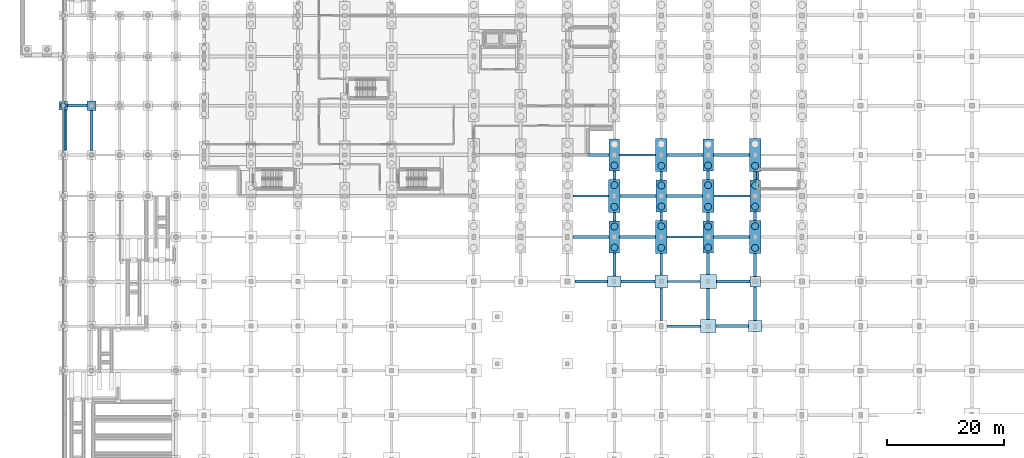
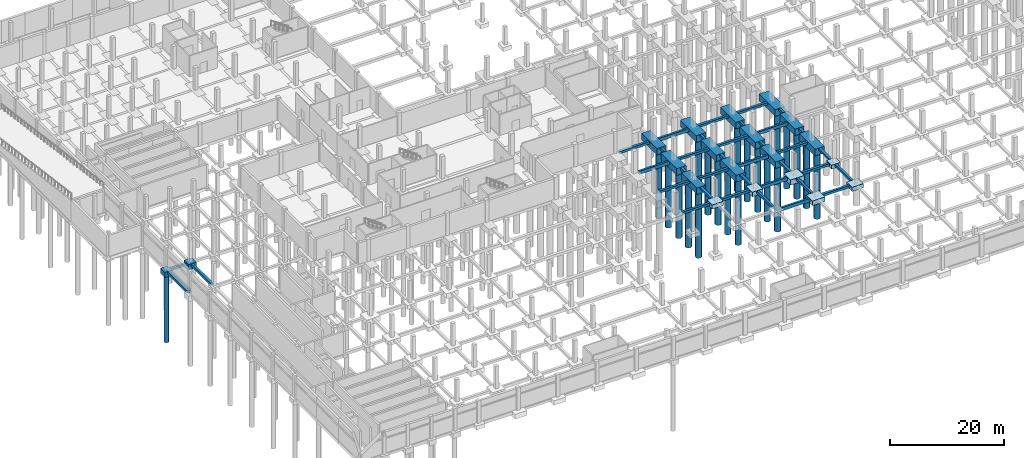
# One storey, part 8 of 50: 58 footings, 21 piles.
"""IFC4 building model written with IfcOpenShell, lengths in metres."""

from ifc_helpers import new_model, si_unit, direction, frame, origin, origin_2d, place, context, subcontext, project, spatial, polyline, rectangle, circle, outline, extrude, material, material_profile, profile_set, type_object, element, save


model = new_model("IFC4")

# Units and contexts
model_context = context("Model", 3, precision=1e-05, world=origin(), true_north=direction((0.0, 1.0)))
body_context = subcontext(model_context, "Body", "Model", "MODEL_VIEW")
ifc_project = project(units=[si_unit("LENGTHUNIT", "METRE"), si_unit("AREAUNIT", "SQUARE_METRE"), si_unit("VOLUMEUNIT", "CUBIC_METRE"), si_unit("PLANEANGLEUNIT", "RADIAN"), si_unit("MASSUNIT", "GRAM", prefix="KILO")], contexts=[model_context])

# Site, building, storey
site_placement = place(None, origin())
site = spatial("IfcSite", under=ifc_project, at=site_placement, CompositionType="ELEMENT")
building_placement = place(site_placement, origin())
building = spatial("IfcBuilding", under=site, at=building_placement, Name="Vekula Escarpment Museum", CompositionType="ELEMENT")
storey_placement = place(building_placement, frame((0.0, 0.0, -4.800048828125)))
storey = spatial("IfcBuildingStorey", under=building, at=storey_placement, Name="B1", CompositionType="ELEMENT", Elevation=-4.800048828125)

# Footings
ifc_material_1 = material(Name="Concrete C35/45", Category="concrete")
footing_type_1 = type_object("IfcFootingType", Name="FB-STRIP-600", PredefinedType="STRIP_FOOTING", material=ifc_material_1)
footing_1_placement = place(storey_placement, frame((0.0, 0.0, -0.599853515625)))
element("IfcFooting", 1, at=footing_1_placement, inside=storey, type_object=footing_type_1, Name="Plinth Wall Strip Footing 0131", PredefinedType="STRIP_FOOTING", context=body_context, shape_type="SweptSolid", body=[
    extrude(outline(polyline([(0.64501953125, 60.404052734375), (0.25390625, 60.404052734375), (0.25390625, 67.24609375), (0.64501953125, 67.24609375), (0.64501953125, 60.404052734375)])), origin(), (0.0, 0.0, 1.0), 0.599853515625),
])
footing_2_placement = place(storey_placement, frame((0.0, 0.0, -0.599853515625)))
element("IfcFooting", 2, at=footing_2_placement, inside=storey, type_object=footing_type_1, Name="Stair Core Strip Footing ST-08 W", PredefinedType="STRIP_FOOTING", context=body_context, shape_type="SweptSolid", body=[
    extrude(outline(polyline([(118.675048828125, 55.303955078125), (118.25390625, 55.303955078125), (118.25390625, 56.7958984375), (118.675048828125, 56.7958984375), (118.675048828125, 55.303955078125)])), origin(), (0.0, 0.0, 1.0), 0.599853515625),
])
ifc_material_2 = material(Name="Concrete C35/45", Category="concrete")
ifc_material_profile_1 = material_profile(ifc_material_2, rectangle(XDim=0.39990234375, YDim=0.699951171875, at=origin_2d()), Name="RC 400x700")
ifc_profile_set_1 = profile_set([ifc_material_profile_1], Name="Concrete C35/45")
footing_type_2 = type_object("IfcFootingType", Name="FB-TIE-400x700", PredefinedType="FOOTING_BEAM", material=ifc_profile_set_1)
footing_3_placement = place(storey_placement, frame((103.0, 30.39990234375, -0.349853515625), z_axis=(1.0, 0.0, 0.0), x_axis=(0.0, 1.0, 0.0)))
element("IfcFooting", 3, at=footing_3_placement, inside=storey, type_object=footing_type_2, Name="Foundation Tie Beam 090", PredefinedType="FOOTING_BEAM", context=body_context, shape_type="SweptSolid", body=[
    extrude(rectangle(XDim=0.39990234375, YDim=0.699951171875, at=origin_2d()), origin(), (0.0, 0.0, 1.0), 5.699951171875),
])
footing_4_placement = place(storey_placement, frame((103.10009765625, 38.0, -0.349853515625), z_axis=(1.0, 0.0, 0.0), x_axis=(0.0, 1.0, 0.0)))
element("IfcFooting", 4, at=footing_4_placement, inside=storey, type_object=footing_type_2, Name="Foundation Tie Beam 111", PredefinedType="FOOTING_BEAM", context=body_context, shape_type="SweptSolid", body=[
    extrude(rectangle(XDim=0.39990234375, YDim=0.699951171875, at=origin_2d()), origin(), (0.0, 0.0, 1.0), 5.5),
])
for number, where, z_axis, x_axis, name in (
    (5, (102.97509765625, 45.60009765625, -0.349853515625), (1.0, 0.0, 0.0), (0.0, 1.0, 0.0), "Foundation Tie Beam 132"),
    (6, (86.89990234375, 52.60009765625, -0.349853515625), (1.0, 0.0, 0.0), (0.0, 1.0, 0.0), "Foundation Tie Beam 153"),
    (7, (110.97509765625, 52.60009765625, -0.349853515625), (1.0, 0.0, 0.0), (0.0, 1.0, 0.0), "Foundation Tie Beam 156"),
    (8, (94.89990234375, 59.60009765625, -0.349853515625), (1.0, 0.0, 0.0), (0.0, 1.0, 0.0), "Foundation Tie Beam 177"),
):
    element("IfcFooting", number, at=place(storey_placement, frame(where, z_axis=z_axis, x_axis=x_axis)), inside=storey, type_object=footing_type_2, Name=name, PredefinedType="FOOTING_BEAM", context=body_context, shape_type="SweptSolid", body=[
        extrude(rectangle(XDim=0.39990234375, YDim=0.699951171875, at=origin_2d()), origin(), (0.0, 0.0, 1.0), 6.125),
    ])
ifc_material_3 = material(Name="Concrete C35/45", Category="concrete")
ifc_material_profile_2 = material_profile(ifc_material_3, rectangle(XDim=0.5, YDim=0.5, at=origin_2d()), Name="RC 500x500")
ifc_profile_set_2 = profile_set([ifc_material_profile_2], Name="Concrete C35/45")
footing_type_3 = type_object("IfcFootingType", Name="FB-TIE-500x500", PredefinedType="FOOTING_BEAM", material=ifc_profile_set_2)
footing_5_placement = place(storey_placement, frame((111.300048828125, 30.39990234375, -0.25), z_axis=(1.0, 0.0, 0.0), x_axis=(0.0, 1.0, 0.0)))
element("IfcFooting", 9, at=footing_5_placement, inside=storey, type_object=footing_type_3, Name="Foundation Tie Beam 091", PredefinedType="FOOTING_BEAM", context=body_context, shape_type="SweptSolid", body=[
    extrude(rectangle(XDim=0.5, YDim=0.5, at=origin_2d()), origin(), (0.0, 0.0, 1.0), 5.550048828125),
])
footing_6_placement = place(storey_placement, frame((87.25, 38.0, -0.25), z_axis=(1.0, 0.0, 0.0), x_axis=(0.0, 1.0, 0.0)))
element("IfcFooting", 10, at=footing_6_placement, inside=storey, type_object=footing_type_3, Name="Foundation Tie Beam 109", PredefinedType="FOOTING_BEAM", context=body_context, shape_type="SweptSolid", body=[
    extrude(rectangle(XDim=0.5, YDim=0.5, at=origin_2d()), origin(), (0.0, 0.0, 1.0), 5.60009765625),
])
footing_7_placement = place(storey_placement, frame((95.14990234375, 38.0, -0.25), z_axis=(1.0, 0.0, 0.0), x_axis=(0.0, 1.0, 0.0)))
element("IfcFooting", 11, at=footing_7_placement, inside=storey, type_object=footing_type_3, Name="Foundation Tie Beam 110", PredefinedType="FOOTING_BEAM", context=body_context, shape_type="SweptSolid", body=[
    extrude(rectangle(XDim=0.5, YDim=0.5, at=origin_2d()), origin(), (0.0, 0.0, 1.0), 5.75),
])
footing_8_placement = place(storey_placement, frame((111.39990234375, 38.0, -0.25), z_axis=(1.0, 0.0, 0.0), x_axis=(0.0, 1.0, 0.0)))
element("IfcFooting", 12, at=footing_8_placement, inside=storey, type_object=footing_type_3, Name="Foundation Tie Beam 112", PredefinedType="FOOTING_BEAM", context=body_context, shape_type="SweptSolid", body=[
    extrude(rectangle(XDim=0.5, YDim=0.5, at=origin_2d()), origin(), (0.0, 0.0, 1.0), 5.7001953125),
])
for number, where, z_axis, x_axis, name in (
    (13, (86.97509765625, 45.60009765625, -0.25), (1.0, 0.0, 0.0), (0.0, 1.0, 0.0), "Foundation Tie Beam 130"),
    (14, (94.89990234375, 45.60009765625, -0.25), (1.0, 0.0, 0.0), (0.0, 1.0, 0.0), "Foundation Tie Beam 131"),
    (15, (110.89990234375, 45.60009765625, -0.25), (1.0, 0.0, 0.0), (0.0, 1.0, 0.0), "Foundation Tie Beam 133"),
    (16, (94.97509765625, 52.60009765625, -0.25), (1.0, 0.0, 0.0), (0.0, 1.0, 0.0), "Foundation Tie Beam 154"),
    (17, (102.89990234375, 52.60009765625, -0.25), (1.0, 0.0, 0.0), (0.0, 1.0, 0.0), "Foundation Tie Beam 155"),
    (18, (86.97509765625, 59.60009765625, -0.25), (1.0, 0.0, 0.0), (0.0, 1.0, 0.0), "Foundation Tie Beam 176"),
    (19, (102.97509765625, 59.60009765625, -0.25), (1.0, 0.0, 0.0), (0.0, 1.0, 0.0), "Foundation Tie Beam 178"),
    (20, (110.89990234375, 59.60009765625, -0.25), (1.0, 0.0, 0.0), (0.0, 1.0, 0.0), "Foundation Tie Beam 179"),
):
    element("IfcFooting", number, at=place(storey_placement, frame(where, z_axis=z_axis, x_axis=x_axis)), inside=storey, type_object=footing_type_3, Name=name, PredefinedType="FOOTING_BEAM", context=body_context, shape_type="SweptSolid", body=[
        extrude(rectangle(XDim=0.5, YDim=0.5, at=origin_2d()), origin(), (0.0, 0.0, 1.0), 6.125),
    ])
footing_9_placement = place(storey_placement, frame((0.75, 68.0, -0.25), z_axis=(1.0, 0.0, 0.0), x_axis=(0.0, 1.0, 0.0)))
element("IfcFooting", 21, at=footing_9_placement, inside=storey, type_object=footing_type_3, Name="Foundation Tie Beam 187", PredefinedType="FOOTING_BEAM", context=body_context, shape_type="SweptSolid", body=[
    extrude(rectangle(XDim=0.5, YDim=0.5, at=origin_2d()), origin(), (0.0, 0.0, 1.0), 3.25),
])
footing_10_placement = place(storey_placement, frame((0.0, 60.39990234375, -0.25), z_axis=(0.0, 1.0, 0.0), x_axis=(-1.0, 0.0, 0.0)))
element("IfcFooting", 22, at=footing_10_placement, inside=storey, type_object=footing_type_3, Name="Foundation Tie Beam 407", PredefinedType="FOOTING_BEAM", context=body_context, shape_type="SweptSolid", body=[
    extrude(rectangle(XDim=0.5, YDim=0.5, at=origin_2d()), origin(), (0.0, 0.0, 1.0), 6.85009765625),
])
footing_11_placement = place(storey_placement, frame((4.800048828125, 60.35009765625, -0.25), z_axis=(0.0, 1.0, 0.0), x_axis=(-1.0, 0.0, 0.0)))
element("IfcFooting", 23, at=footing_11_placement, inside=storey, type_object=footing_type_3, Name="Foundation Tie Beam 419", PredefinedType="FOOTING_BEAM", context=body_context, shape_type="SweptSolid", body=[
    extrude(rectangle(XDim=0.5, YDim=0.5, at=origin_2d()), origin(), (0.0, 0.0, 1.0), 6.849853515625),
])
footing_12_placement = place(storey_placement, frame((94.0, 38.949951171875, -0.25), z_axis=(0.0, 1.0, 0.0), x_axis=(-1.0, 0.0, 0.0)))
element("IfcFooting", 24, at=footing_12_placement, inside=storey, type_object=footing_type_3, Name="Foundation Tie Beam 597", PredefinedType="FOOTING_BEAM", context=body_context, shape_type="SweptSolid", body=[
    extrude(rectangle(XDim=0.5, YDim=0.5, at=origin_2d()), origin(), (0.0, 0.0, 1.0), 3.949951171875),
])
for number, where, z_axis, x_axis, name in (
    (25, (94.0, 48.300048828125, -0.25), (0.0, 1.0, 0.0), (-1.0, 0.0, 0.0), "Foundation Tie Beam 598"),
    (26, (94.0, 55.39990234375, -0.25), (0.0, 1.0, 0.0), (-1.0, 0.0, 0.0), "Foundation Tie Beam 599"),
):
    element("IfcFooting", number, at=place(storey_placement, frame(where, z_axis=z_axis, x_axis=x_axis)), inside=storey, type_object=footing_type_3, Name=name, PredefinedType="FOOTING_BEAM", context=body_context, shape_type="SweptSolid", body=[
        extrude(rectangle(XDim=0.5, YDim=0.5, at=origin_2d()), origin(), (0.0, 0.0, 1.0), 1.5),
    ])
footing_13_placement = place(storey_placement, frame((102.0, 31.39990234375, -0.25), z_axis=(0.0, 1.0, 0.0), x_axis=(-1.0, 0.0, 0.0)))
element("IfcFooting", 27, at=footing_13_placement, inside=storey, type_object=footing_type_3, Name="Foundation Tie Beam 614", PredefinedType="FOOTING_BEAM", context=body_context, shape_type="SweptSolid", body=[
    extrude(rectangle(XDim=0.5, YDim=0.5, at=origin_2d()), origin(), (0.0, 0.0, 1.0), 5.5),
])
footing_14_placement = place(storey_placement, frame((102.0, 39.10009765625, -0.25), z_axis=(0.0, 1.0, 0.0), x_axis=(-1.0, 0.0, 0.0)))
element("IfcFooting", 28, at=footing_14_placement, inside=storey, type_object=footing_type_3, Name="Foundation Tie Beam 615", PredefinedType="FOOTING_BEAM", context=body_context, shape_type="SweptSolid", body=[
    extrude(rectangle(XDim=0.5, YDim=0.5, at=origin_2d()), origin(), (0.0, 0.0, 1.0), 3.699951171875),
])
for number, where, z_axis, x_axis, name in (
    (29, (102.0, 48.39990234375, -0.25), (0.0, 1.0, 0.0), (-1.0, 0.0, 0.0), "Foundation Tie Beam 616"),
    (30, (102.0, 55.300048828125, -0.25), (0.0, 1.0, 0.0), (-1.0, 0.0, 0.0), "Foundation Tie Beam 617"),
):
    element("IfcFooting", number, at=place(storey_placement, frame(where, z_axis=z_axis, x_axis=x_axis)), inside=storey, type_object=footing_type_3, Name=name, PredefinedType="FOOTING_BEAM", context=body_context, shape_type="SweptSolid", body=[
        extrude(rectangle(XDim=0.5, YDim=0.5, at=origin_2d()), origin(), (0.0, 0.0, 1.0), 1.5),
    ])
footing_15_placement = place(storey_placement, frame((110.0, 31.5, -0.25), z_axis=(0.0, 1.0, 0.0), x_axis=(-1.0, 0.0, 0.0)))
element("IfcFooting", 31, at=footing_15_placement, inside=storey, type_object=footing_type_3, Name="Foundation Tie Beam 632", PredefinedType="FOOTING_BEAM", context=body_context, shape_type="SweptSolid", body=[
    extrude(rectangle(XDim=0.5, YDim=0.5, at=origin_2d()), origin(), (0.0, 0.0, 1.0), 5.300048828125),
])
footing_16_placement = place(storey_placement, frame((110.0, 39.199951171875, -0.25), z_axis=(0.0, 1.0, 0.0), x_axis=(-1.0, 0.0, 0.0)))
element("IfcFooting", 32, at=footing_16_placement, inside=storey, type_object=footing_type_3, Name="Foundation Tie Beam 633", PredefinedType="FOOTING_BEAM", context=body_context, shape_type="SweptSolid", body=[
    extrude(rectangle(XDim=0.5, YDim=0.5, at=origin_2d()), origin(), (0.0, 0.0, 1.0), 3.699951171875),
])
for number, where, z_axis, x_axis, name in (
    (33, (110.0, 48.300048828125, -0.25), (0.0, 1.0, 0.0), (-1.0, 0.0, 0.0), "Foundation Tie Beam 634"),
    (34, (110.0, 55.39990234375, -0.25), (0.0, 1.0, 0.0), (-1.0, 0.0, 0.0), "Foundation Tie Beam 635"),
):
    element("IfcFooting", number, at=place(storey_placement, frame(where, z_axis=z_axis, x_axis=x_axis)), inside=storey, type_object=footing_type_3, Name=name, PredefinedType="FOOTING_BEAM", context=body_context, shape_type="SweptSolid", body=[
        extrude(rectangle(XDim=0.5, YDim=0.5, at=origin_2d()), origin(), (0.0, 0.0, 1.0), 1.5),
    ])
footing_17_placement = place(storey_placement, frame((118.0, 31.35009765625, -0.25), z_axis=(0.0, 1.0, 0.0), x_axis=(-1.0, 0.0, 0.0)))
element("IfcFooting", 35, at=footing_17_placement, inside=storey, type_object=footing_type_3, Name="Foundation Tie Beam 650", PredefinedType="FOOTING_BEAM", context=body_context, shape_type="SweptSolid", body=[
    extrude(rectangle(XDim=0.5, YDim=0.5, at=origin_2d()), origin(), (0.0, 0.0, 1.0), 5.75),
])
footing_18_placement = place(storey_placement, frame((118.0, 38.89990234375, -0.25), z_axis=(0.0, 1.0, 0.0), x_axis=(-1.0, 0.0, 0.0)))
element("IfcFooting", 36, at=footing_18_placement, inside=storey, type_object=footing_type_3, Name="Foundation Tie Beam 651", PredefinedType="FOOTING_BEAM", context=body_context, shape_type="SweptSolid", body=[
    extrude(rectangle(XDim=0.5, YDim=0.5, at=origin_2d()), origin(), (0.0, 0.0, 1.0), 3.900146484375),
])
for number, where, z_axis, x_axis, name in (
    (37, (118.0, 48.39990234375, -0.25), (0.0, 1.0, 0.0), (-1.0, 0.0, 0.0), "Foundation Tie Beam 652"),
    (38, (118.0, 55.300048828125, -0.25), (0.0, 1.0, 0.0), (-1.0, 0.0, 0.0), "Foundation Tie Beam 653"),
):
    element("IfcFooting", number, at=place(storey_placement, frame(where, z_axis=z_axis, x_axis=x_axis)), inside=storey, type_object=footing_type_3, Name=name, PredefinedType="FOOTING_BEAM", context=body_context, shape_type="SweptSolid", body=[
        extrude(rectangle(XDim=0.5, YDim=0.5, at=origin_2d()), origin(), (0.0, 0.0, 1.0), 1.5),
    ])
ifc_material_4 = material(Name="Concrete C35/45", Category="concrete")
footing_type_4 = type_object("IfcFootingType", Name="FC-PAD1", PredefinedType="PAD_FOOTING", material=ifc_material_4)
footing_19_placement = place(storey_placement, frame((0.0, 0.0, -0.849853515625)))
element("IfcFooting", 39, at=footing_19_placement, inside=storey, type_object=footing_type_4, Name="Foundation FC-PAD1 (118.0,38.0)", PredefinedType="PAD_FOOTING", context=body_context, shape_type="SweptSolid", body=[
    extrude(outline(polyline([(117.10009765625, 37.10009765625), (118.89990234375, 37.10009765625), (118.89990234375, 38.89990234375), (117.10009765625, 38.89990234375), (117.10009765625, 37.10009765625)])), origin(), (0.0, 0.0, 1.0), 0.849853515625),
])
ifc_material_5 = material(Name="Concrete C35/45", Category="concrete")
footing_type_5 = type_object("IfcFootingType", Name="FC-PAD3", PredefinedType="PAD_FOOTING", material=ifc_material_5)
footing_20_placement = place(storey_placement, frame((0.0, 0.0, -0.949951171875)))
element("IfcFooting", 40, at=footing_20_placement, inside=storey, type_object=footing_type_5, Name="Foundation FC-PAD3 (102.0,38.0)", PredefinedType="PAD_FOOTING", context=body_context, shape_type="SweptSolid", body=[
    extrude(outline(polyline([(100.89990234375, 36.89990234375), (103.10009765625, 36.89990234375), (103.10009765625, 39.10009765625), (100.89990234375, 39.10009765625), (100.89990234375, 36.89990234375)])), origin(), (0.0, 0.0, 1.0), 0.949951171875),
])
ifc_material_6 = material(Name="Concrete C35/45", Category="concrete")
footing_type_6 = type_object("IfcFootingType", Name="FC-PAD5", PredefinedType="PAD_FOOTING", material=ifc_material_6)
footing_21_placement = place(storey_placement, frame((0.0, 0.0, -1.0)))
element("IfcFooting", 41, at=footing_21_placement, inside=storey, type_object=footing_type_6, Name="Foundation FC-PAD5 (110.0,30.4)", PredefinedType="PAD_FOOTING", context=body_context, shape_type="SweptSolid", body=[
    extrude(outline(polyline([(108.699951171875, 29.300048828125), (111.300048828125, 29.300048828125), (111.300048828125, 31.5), (108.699951171875, 31.5), (108.699951171875, 29.300048828125)])), origin(), (0.0, 0.0, 1.0), 1.0),
])
ifc_material_7 = material(Name="Concrete C35/45", Category="concrete")
footing_type_7 = type_object("IfcFootingType", Name="FC-PAD6", PredefinedType="PAD_FOOTING", material=ifc_material_7)
footing_22_placement = place(storey_placement, frame((0.0, 0.0, -1.099853515625)))
element("IfcFooting", 42, at=footing_22_placement, inside=storey, type_object=footing_type_7, Name="Foundation FC-PAD6 (110.0,38.0)", PredefinedType="PAD_FOOTING", context=body_context, shape_type="SweptSolid", body=[
    extrude(outline(polyline([(108.60009765625, 36.800048828125), (111.39990234375, 36.800048828125), (111.39990234375, 39.199951171875), (108.60009765625, 39.199951171875), (108.60009765625, 36.800048828125)])), origin(), (0.0, 0.0, 1.0), 1.099853515625),
])
ifc_material_8 = material(Name="Concrete C35/45", Category="concrete")
footing_type_8 = type_object("IfcFootingType", Name="FC-PAD8", PredefinedType="PAD_FOOTING", material=ifc_material_8)
footing_23_placement = place(storey_placement, frame((0.0, 0.0, -0.89990234375)))
element("IfcFooting", 43, at=footing_23_placement, inside=storey, type_object=footing_type_8, Name="Foundation FC-PAD8 (94.0,38.0)", PredefinedType="PAD_FOOTING", context=body_context, shape_type="SweptSolid", body=[
    extrude(outline(polyline([(92.85009765625, 37.050048828125), (95.14990234375, 37.050048828125), (95.14990234375, 38.949951171875), (92.85009765625, 38.949951171875), (92.85009765625, 37.050048828125)])), origin(), (0.0, 0.0, 1.0), 0.89990234375),
])
footing_24_placement = place(storey_placement, frame((0.0, 0.0, -0.89990234375)))
element("IfcFooting", 44, at=footing_24_placement, inside=storey, type_object=footing_type_8, Name="Foundation FC-PAD8 (118.0,30.4)", PredefinedType="PAD_FOOTING", context=body_context, shape_type="SweptSolid", body=[
    extrude(outline(polyline([(116.85009765625, 29.449951171875), (119.14990234375, 29.449951171875), (119.14990234375, 31.35009765625), (116.85009765625, 31.35009765625), (116.85009765625, 29.449951171875)])), origin(), (0.0, 0.0, 1.0), 0.89990234375),
])
ifc_material_9 = material(Name="Concrete C35/45", Category="concrete")
footing_type_9 = type_object("IfcFootingType", Name="FC-PC1A", PredefinedType="PILE_CAP", material=ifc_material_9)
footing_25_placement = place(storey_placement, frame((0.0, 0.0, -1.099853515625)))
element("IfcFooting", 45, at=footing_25_placement, inside=storey, type_object=footing_type_9, Name="Foundation FC-PC1A (0.0,68.0)", PredefinedType="PILE_CAP", context=body_context, shape_type="SweptSolid", body=[
    extrude(outline(polyline([(-0.75, 67.25), (0.75, 67.25), (0.75, 68.75), (-0.75, 68.75), (-0.75, 67.25)])), origin(), (0.0, 0.0, 1.0), 1.099853515625),
])
ifc_material_10 = material(Name="Concrete C35/45", Category="concrete")
footing_type_10 = type_object("IfcFootingType", Name="FC-PC1B", PredefinedType="PILE_CAP", material=ifc_material_10)
footing_26_placement = place(storey_placement, frame((0.0, 0.0, -1.14990234375)))
element("IfcFooting", 46, at=footing_26_placement, inside=storey, type_object=footing_type_10, Name="Foundation FC-PC1B (4.8,68.0)", PredefinedType="PILE_CAP", context=body_context, shape_type="SweptSolid", body=[
    extrude(outline(polyline([(4.0, 67.199951171875), (5.60009765625, 67.199951171875), (5.60009765625, 68.800048828125), (4.0, 68.800048828125), (4.0, 67.199951171875)])), origin(), (0.0, 0.0, 1.0), 1.14990234375),
])
ifc_material_11 = material(Name="Concrete C35/45", Category="concrete")
footing_type_11 = type_object("IfcFootingType", Name="FC-PC2Y-HA", PredefinedType="PILE_CAP", material=ifc_material_11)
footing_27_placement = place(storey_placement, frame((0.0, 0.0, -1.39990234375)))
element("IfcFooting", 47, at=footing_27_placement, inside=storey, type_object=footing_type_11, Name="Foundation FC-PC2Y-HA (94.0,45.6)", PredefinedType="PILE_CAP", context=body_context, shape_type="SweptSolid", body=[
    extrude(outline(polyline([(93.10009765625, 42.89990234375), (94.89990234375, 42.89990234375), (94.89990234375, 48.300048828125), (93.10009765625, 48.300048828125), (93.10009765625, 42.89990234375)])), origin(), (0.0, 0.0, 1.0), 1.39990234375),
])
footing_28_placement = place(storey_placement, frame((0.0, 0.0, -1.39990234375)))
element("IfcFooting", 48, at=footing_28_placement, inside=storey, type_object=footing_type_11, Name="Foundation FC-PC2Y-HA (94.0,59.6)", PredefinedType="PILE_CAP", context=body_context, shape_type="SweptSolid", body=[
    extrude(outline(polyline([(93.10009765625, 56.89990234375), (94.89990234375, 56.89990234375), (94.89990234375, 62.300048828125), (93.10009765625, 62.300048828125), (93.10009765625, 56.89990234375)])), origin(), (0.0, 0.0, 1.0), 1.39990234375),
])
footing_29_placement = place(storey_placement, frame((0.0, 0.0, -1.39990234375)))
element("IfcFooting", 49, at=footing_29_placement, inside=storey, type_object=footing_type_11, Name="Foundation FC-PC2Y-HA (102.0,52.6)", PredefinedType="PILE_CAP", context=body_context, shape_type="SweptSolid", body=[
    extrude(outline(polyline([(101.10009765625, 49.89990234375), (102.89990234375, 49.89990234375), (102.89990234375, 55.300048828125), (101.10009765625, 55.300048828125), (101.10009765625, 49.89990234375)])), origin(), (0.0, 0.0, 1.0), 1.39990234375),
])
footing_30_placement = place(storey_placement, frame((0.0, 0.0, -1.39990234375)))
element("IfcFooting", 50, at=footing_30_placement, inside=storey, type_object=footing_type_11, Name="Foundation FC-PC2Y-HA (110.0,45.6)", PredefinedType="PILE_CAP", context=body_context, shape_type="SweptSolid", body=[
    extrude(outline(polyline([(109.10009765625, 42.89990234375), (110.89990234375, 42.89990234375), (110.89990234375, 48.300048828125), (109.10009765625, 48.300048828125), (109.10009765625, 42.89990234375)])), origin(), (0.0, 0.0, 1.0), 1.39990234375),
])
footing_31_placement = place(storey_placement, frame((0.0, 0.0, -1.39990234375)))
element("IfcFooting", 51, at=footing_31_placement, inside=storey, type_object=footing_type_11, Name="Foundation FC-PC2Y-HA (110.0,59.6)", PredefinedType="PILE_CAP", context=body_context, shape_type="SweptSolid", body=[
    extrude(outline(polyline([(109.10009765625, 56.89990234375), (110.89990234375, 56.89990234375), (110.89990234375, 62.300048828125), (109.10009765625, 62.300048828125), (109.10009765625, 56.89990234375)])), origin(), (0.0, 0.0, 1.0), 1.39990234375),
])
footing_32_placement = place(storey_placement, frame((0.0, 0.0, -1.39990234375)))
element("IfcFooting", 52, at=footing_32_placement, inside=storey, type_object=footing_type_11, Name="Foundation FC-PC2Y-HA (118.0,52.6)", PredefinedType="PILE_CAP", context=body_context, shape_type="SweptSolid", body=[
    extrude(outline(polyline([(117.10009765625, 49.89990234375), (118.89990234375, 49.89990234375), (118.89990234375, 55.300048828125), (117.10009765625, 55.300048828125), (117.10009765625, 49.89990234375)])), origin(), (0.0, 0.0, 1.0), 1.39990234375),
])
ifc_material_12 = material(Name="Concrete C35/45", Category="concrete")
footing_type_12 = type_object("IfcFootingType", Name="FC-PC2Y-HB", PredefinedType="PILE_CAP", material=ifc_material_12)
footing_33_placement = place(storey_placement, frame((0.0, 0.0, -1.449951171875)))
element("IfcFooting", 53, at=footing_33_placement, inside=storey, type_object=footing_type_12, Name="Foundation FC-PC2Y-HB (94.0,52.6)", PredefinedType="PILE_CAP", context=body_context, shape_type="SweptSolid", body=[
    extrude(outline(polyline([(93.02490234375, 49.800048828125), (94.97509765625, 49.800048828125), (94.97509765625, 55.39990234375), (93.02490234375, 55.39990234375), (93.02490234375, 49.800048828125)])), origin(), (0.0, 0.0, 1.0), 1.449951171875),
])
footing_34_placement = place(storey_placement, frame((0.0, 0.0, -1.449951171875)))
element("IfcFooting", 54, at=footing_34_placement, inside=storey, type_object=footing_type_12, Name="Foundation FC-PC2Y-HB (102.0,45.6)", PredefinedType="PILE_CAP", context=body_context, shape_type="SweptSolid", body=[
    extrude(outline(polyline([(101.02490234375, 42.800048828125), (102.97509765625, 42.800048828125), (102.97509765625, 48.39990234375), (101.02490234375, 48.39990234375), (101.02490234375, 42.800048828125)])), origin(), (0.0, 0.0, 1.0), 1.449951171875),
])
footing_35_placement = place(storey_placement, frame((0.0, 0.0, -1.449951171875)))
element("IfcFooting", 55, at=footing_35_placement, inside=storey, type_object=footing_type_12, Name="Foundation FC-PC2Y-HB (102.0,59.6)", PredefinedType="PILE_CAP", context=body_context, shape_type="SweptSolid", body=[
    extrude(outline(polyline([(101.02490234375, 56.800048828125), (102.97509765625, 56.800048828125), (102.97509765625, 62.39990234375), (101.02490234375, 62.39990234375), (101.02490234375, 56.800048828125)])), origin(), (0.0, 0.0, 1.0), 1.449951171875),
])
footing_36_placement = place(storey_placement, frame((0.0, 0.0, -1.449951171875)))
element("IfcFooting", 56, at=footing_36_placement, inside=storey, type_object=footing_type_12, Name="Foundation FC-PC2Y-HB (110.0,52.6)", PredefinedType="PILE_CAP", context=body_context, shape_type="SweptSolid", body=[
    extrude(outline(polyline([(109.02490234375, 49.800048828125), (110.97509765625, 49.800048828125), (110.97509765625, 55.39990234375), (109.02490234375, 55.39990234375), (109.02490234375, 49.800048828125)])), origin(), (0.0, 0.0, 1.0), 1.449951171875),
])
footing_37_placement = place(storey_placement, frame((0.0, 0.0, -1.449951171875)))
element("IfcFooting", 57, at=footing_37_placement, inside=storey, type_object=footing_type_12, Name="Foundation FC-PC2Y-HB (118.0,45.6)", PredefinedType="PILE_CAP", context=body_context, shape_type="SweptSolid", body=[
    extrude(outline(polyline([(117.02490234375, 42.800048828125), (118.97509765625, 42.800048828125), (118.97509765625, 48.39990234375), (117.02490234375, 48.39990234375), (117.02490234375, 42.800048828125)])), origin(), (0.0, 0.0, 1.0), 1.449951171875),
])
footing_38_placement = place(storey_placement, frame((0.0, 0.0, -1.449951171875)))
element("IfcFooting", 58, at=footing_38_placement, inside=storey, type_object=footing_type_12, Name="Foundation FC-PC2Y-HB (118.0,59.6)", PredefinedType="PILE_CAP", context=body_context, shape_type="SweptSolid", body=[
    extrude(outline(polyline([(117.02490234375, 56.800048828125), (118.97509765625, 56.800048828125), (118.97509765625, 62.39990234375), (117.02490234375, 62.39990234375), (117.02490234375, 56.800048828125)])), origin(), (0.0, 0.0, 1.0), 1.449951171875),
])

# Piles
ifc_material_13 = material(Name="Concrete C35/45", Category="concrete")
ifc_material_profile_3 = material_profile(ifc_material_13, circle(Radius=0.60009765625, at=origin_2d()), Name="BORED PILE 1200")
ifc_profile_set_3 = profile_set([ifc_material_profile_3], Name="Concrete C35/45")
pile_type_1 = type_object("IfcPileType", Name="PILE-B1200", PredefinedType="BORED", material=ifc_profile_set_3)
for number, where, z_axis, x_axis, name in (
    (59, (94.0, 43.800048828125, -1.300048828125), (0.0, 0.0, -1.0), (1.0, 0.0, 0.0), "Bored Pile (94.0,43.8)"),
    (60, (94.0, 47.39990234375, -1.300048828125), (0.0, 0.0, -1.0), (1.0, 0.0, 0.0), "Bored Pile (94.0,47.4)"),
):
    element("IfcPile", number, at=place(storey_placement, frame(where, z_axis=z_axis, x_axis=x_axis)), inside=storey, type_object=pile_type_1, Name=name, PredefinedType="BORED", context=body_context, shape_type="SweptSolid", body=[
        extrude(circle(Radius=0.60009765625, at=origin_2d()), origin(), (0.0, 0.0, 1.0), 14.199951171875),
    ])
for number, where, z_axis, x_axis, name in (
    (61, (94.0, 50.75, -1.349853515625), (0.0, 0.0, -1.0), (1.0, 0.0, 0.0), "Bored Pile (94.0,50.8)"),
    (62, (94.0, 54.449951171875, -1.349853515625), (0.0, 0.0, -1.0), (1.0, 0.0, 0.0), "Bored Pile (94.0,54.5)"),
):
    element("IfcPile", number, at=place(storey_placement, frame(where, z_axis=z_axis, x_axis=x_axis)), inside=storey, type_object=pile_type_1, Name=name, PredefinedType="BORED", context=body_context, shape_type="SweptSolid", body=[
        extrude(circle(Radius=0.60009765625, at=origin_2d()), origin(), (0.0, 0.0, 1.0), 14.14990234375),
    ])
pile_1_placement = place(storey_placement, frame((94.0, 57.800048828125, -1.300048828125), z_axis=(0.0, 0.0, -1.0), x_axis=(1.0, 0.0, 0.0)))
element("IfcPile", 63, at=pile_1_placement, inside=storey, type_object=pile_type_1, Name="Bored Pile (94.0,57.8)", PredefinedType="BORED", context=body_context, shape_type="SweptSolid", body=[
    extrude(circle(Radius=0.60009765625, at=origin_2d()), origin(), (0.0, 0.0, 1.0), 14.199951171875),
])
for number, where, z_axis, x_axis, name in (
    (64, (102.0, 43.75, -1.349853515625), (0.0, 0.0, -1.0), (1.0, 0.0, 0.0), "Bored Pile (102.0,43.8)"),
    (65, (102.0, 47.449951171875, -1.349853515625), (0.0, 0.0, -1.0), (1.0, 0.0, 0.0), "Bored Pile (102.0,47.5)"),
):
    element("IfcPile", number, at=place(storey_placement, frame(where, z_axis=z_axis, x_axis=x_axis)), inside=storey, type_object=pile_type_1, Name=name, PredefinedType="BORED", context=body_context, shape_type="SweptSolid", body=[
        extrude(circle(Radius=0.60009765625, at=origin_2d()), origin(), (0.0, 0.0, 1.0), 14.14990234375),
    ])
for number, where, z_axis, x_axis, name in (
    (66, (102.0, 50.800048828125, -1.300048828125), (0.0, 0.0, -1.0), (1.0, 0.0, 0.0), "Bored Pile (102.0,50.8)"),
    (67, (102.0, 54.39990234375, -1.300048828125), (0.0, 0.0, -1.0), (1.0, 0.0, 0.0), "Bored Pile (102.0,54.4)"),
):
    element("IfcPile", number, at=place(storey_placement, frame(where, z_axis=z_axis, x_axis=x_axis)), inside=storey, type_object=pile_type_1, Name=name, PredefinedType="BORED", context=body_context, shape_type="SweptSolid", body=[
        extrude(circle(Radius=0.60009765625, at=origin_2d()), origin(), (0.0, 0.0, 1.0), 14.199951171875),
    ])
pile_2_placement = place(storey_placement, frame((102.0, 57.75, -1.349853515625), z_axis=(0.0, 0.0, -1.0), x_axis=(1.0, 0.0, 0.0)))
element("IfcPile", 68, at=pile_2_placement, inside=storey, type_object=pile_type_1, Name="Bored Pile (102.0,57.8)", PredefinedType="BORED", context=body_context, shape_type="SweptSolid", body=[
    extrude(circle(Radius=0.60009765625, at=origin_2d()), origin(), (0.0, 0.0, 1.0), 14.14990234375),
])
for number, where, z_axis, x_axis, name in (
    (69, (110.0, 43.800048828125, -1.300048828125), (0.0, 0.0, -1.0), (1.0, 0.0, 0.0), "Bored Pile (110.0,43.8)"),
    (70, (110.0, 47.39990234375, -1.300048828125), (0.0, 0.0, -1.0), (1.0, 0.0, 0.0), "Bored Pile (110.0,47.4)"),
):
    element("IfcPile", number, at=place(storey_placement, frame(where, z_axis=z_axis, x_axis=x_axis)), inside=storey, type_object=pile_type_1, Name=name, PredefinedType="BORED", context=body_context, shape_type="SweptSolid", body=[
        extrude(circle(Radius=0.60009765625, at=origin_2d()), origin(), (0.0, 0.0, 1.0), 14.199951171875),
    ])
for number, where, z_axis, x_axis, name in (
    (71, (110.0, 50.75, -1.349853515625), (0.0, 0.0, -1.0), (1.0, 0.0, 0.0), "Bored Pile (110.0,50.8)"),
    (72, (110.0, 54.449951171875, -1.349853515625), (0.0, 0.0, -1.0), (1.0, 0.0, 0.0), "Bored Pile (110.0,54.5)"),
):
    element("IfcPile", number, at=place(storey_placement, frame(where, z_axis=z_axis, x_axis=x_axis)), inside=storey, type_object=pile_type_1, Name=name, PredefinedType="BORED", context=body_context, shape_type="SweptSolid", body=[
        extrude(circle(Radius=0.60009765625, at=origin_2d()), origin(), (0.0, 0.0, 1.0), 14.14990234375),
    ])
pile_3_placement = place(storey_placement, frame((110.0, 57.800048828125, -1.300048828125), z_axis=(0.0, 0.0, -1.0), x_axis=(1.0, 0.0, 0.0)))
element("IfcPile", 73, at=pile_3_placement, inside=storey, type_object=pile_type_1, Name="Bored Pile (110.0,57.8)", PredefinedType="BORED", context=body_context, shape_type="SweptSolid", body=[
    extrude(circle(Radius=0.60009765625, at=origin_2d()), origin(), (0.0, 0.0, 1.0), 14.199951171875),
])
for number, where, z_axis, x_axis, name in (
    (74, (118.0, 43.75, -1.349853515625), (0.0, 0.0, -1.0), (1.0, 0.0, 0.0), "Bored Pile (118.0,43.8)"),
    (75, (118.0, 47.449951171875, -1.349853515625), (0.0, 0.0, -1.0), (1.0, 0.0, 0.0), "Bored Pile (118.0,47.5)"),
):
    element("IfcPile", number, at=place(storey_placement, frame(where, z_axis=z_axis, x_axis=x_axis)), inside=storey, type_object=pile_type_1, Name=name, PredefinedType="BORED", context=body_context, shape_type="SweptSolid", body=[
        extrude(circle(Radius=0.60009765625, at=origin_2d()), origin(), (0.0, 0.0, 1.0), 14.14990234375),
    ])
for number, where, z_axis, x_axis, name in (
    (76, (118.0, 50.800048828125, -1.300048828125), (0.0, 0.0, -1.0), (1.0, 0.0, 0.0), "Bored Pile (118.0,50.8)"),
    (77, (118.0, 54.39990234375, -1.300048828125), (0.0, 0.0, -1.0), (1.0, 0.0, 0.0), "Bored Pile (118.0,54.4)"),
):
    element("IfcPile", number, at=place(storey_placement, frame(where, z_axis=z_axis, x_axis=x_axis)), inside=storey, type_object=pile_type_1, Name=name, PredefinedType="BORED", context=body_context, shape_type="SweptSolid", body=[
        extrude(circle(Radius=0.60009765625, at=origin_2d()), origin(), (0.0, 0.0, 1.0), 14.199951171875),
    ])
pile_4_placement = place(storey_placement, frame((118.0, 57.75, -1.349853515625), z_axis=(0.0, 0.0, -1.0), x_axis=(1.0, 0.0, 0.0)))
element("IfcPile", 78, at=pile_4_placement, inside=storey, type_object=pile_type_1, Name="Bored Pile (118.0,57.8)", PredefinedType="BORED", context=body_context, shape_type="SweptSolid", body=[
    extrude(circle(Radius=0.60009765625, at=origin_2d()), origin(), (0.0, 0.0, 1.0), 14.14990234375),
])
ifc_material_14 = material(Name="Concrete C35/45", Category="concrete")
ifc_material_profile_4 = material_profile(ifc_material_14, circle(Radius=0.449951171875, at=origin_2d()), Name="BORED PILE 900")
ifc_profile_set_4 = profile_set([ifc_material_profile_4], Name="Concrete C35/45")
pile_type_2 = type_object("IfcPileType", Name="PILE-B900", PredefinedType="BORED", material=ifc_profile_set_4)
pile_5_placement = place(storey_placement, frame((0.0, 68.0, -1.0), z_axis=(0.0, 0.0, -1.0), x_axis=(1.0, 0.0, 0.0)))
element("IfcPile", 79, at=pile_5_placement, inside=storey, type_object=pile_type_2, Name="Bored Pile (0.0,68.0)", PredefinedType="BORED", context=body_context, shape_type="SweptSolid", body=[
    extrude(circle(Radius=0.449951171875, at=origin_2d()), origin(), (0.0, 0.0, 1.0), 14.5),
])

save(model, "model.ifc")
